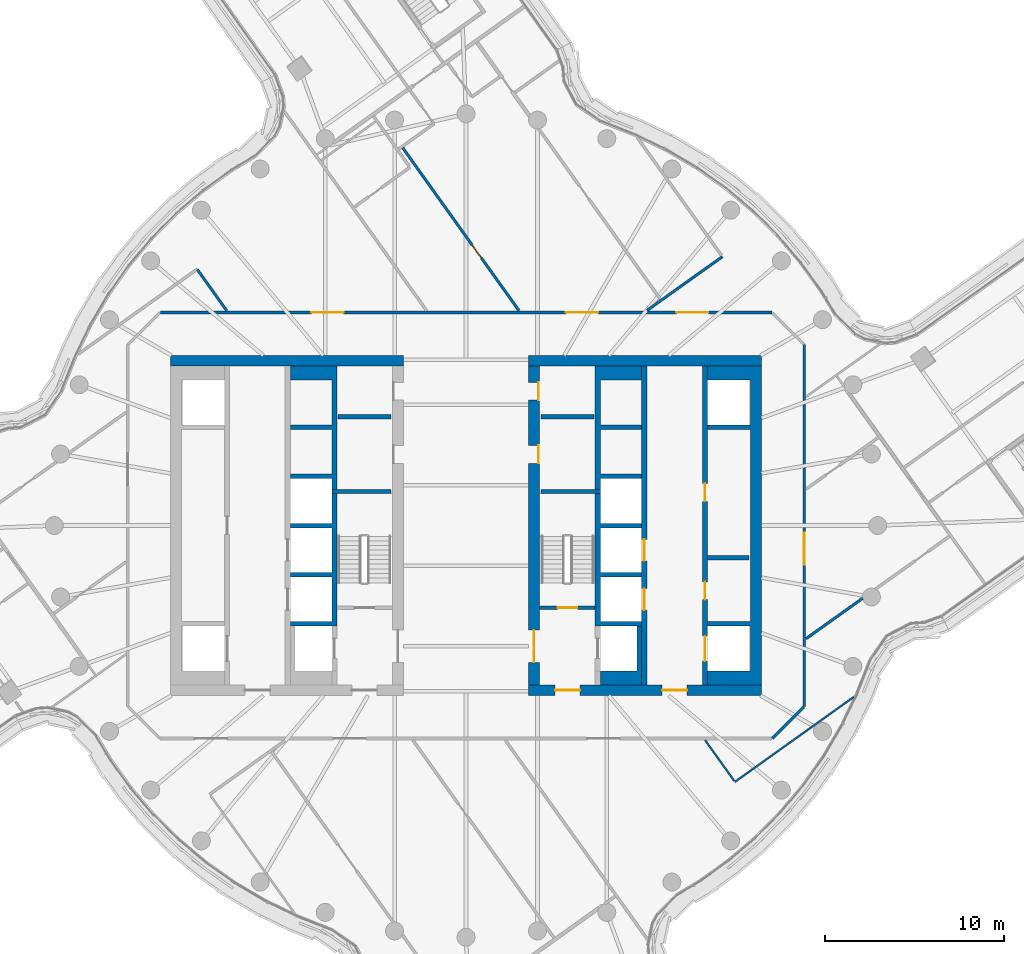
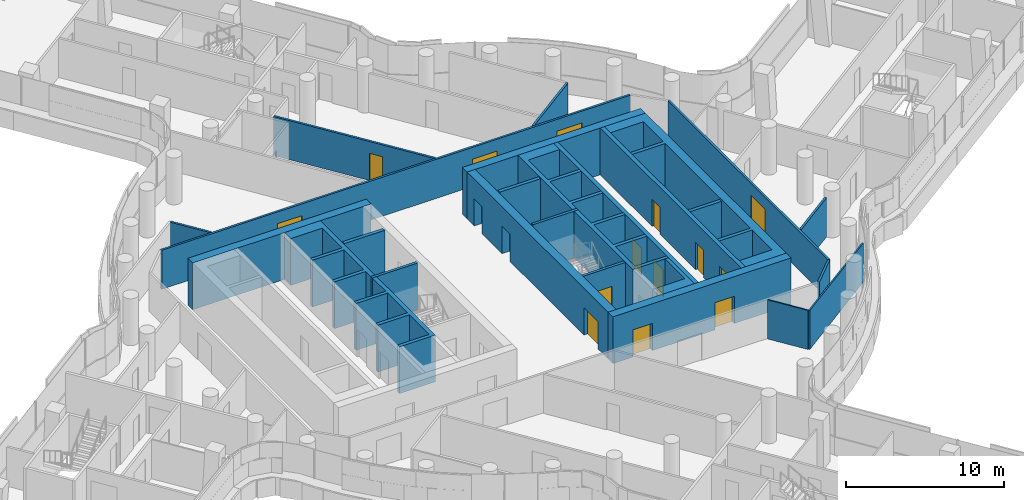
# One storey, part 21 of 31: 25 walls, 16 doors, 16 openings.
"""IFC4 building model written with IfcOpenShell, lengths in metres."""

from ifc_helpers import new_model, si_unit, direction, frame, frame_2d, origin, place, context, subcontext, project, spatial, polyline, rectangle, outline, extrude, material, layer, layer_set, type_object, element, fill, save


model = new_model("IFC4")

# Units and contexts
model_context = context("Model", 3, precision=1e-05, world=origin(), true_north=direction((0.0, 1.0)))
body_context = subcontext(model_context, "Body", "Model", "MODEL_VIEW")
ifc_project = project(units=[si_unit("LENGTHUNIT", "METRE"), si_unit("AREAUNIT", "SQUARE_METRE"), si_unit("VOLUMEUNIT", "CUBIC_METRE"), si_unit("PLANEANGLEUNIT", "RADIAN"), si_unit("MASSUNIT", "GRAM", prefix="KILO")], contexts=[model_context])

# Site, building, storey
site_placement = place(None, origin())
site = spatial("IfcSite", under=ifc_project, at=site_placement, CompositionType="ELEMENT")
building_placement = place(site_placement, origin())
building = spatial("IfcBuilding", under=site, at=building_placement, Name="Tamarind Cross Interchange Tower", CompositionType="ELEMENT")
storey_placement = place(building_placement, frame((0.0, 0.0, 163.0)))
storey = spatial("IfcBuildingStorey", under=building, at=storey_placement, Name="L40", CompositionType="ELEMENT", Elevation=163.0)

# Wall
ifc_material_1 = material(Name="Concrete C60", Category="concrete")
ifc_layer_1 = layer(ifc_material_1, 0.60009765625)
ifc_layer_set_1 = layer_set([ifc_layer_1], Name="Concrete C60")
wall_type_1 = type_object("IfcWallType", Name="Core wall 600 mm Concrete C60", PredefinedType="SHEAR", material=ifc_layer_set_1)
wall_1_placement = place(storey_placement, frame((-16.5, 9.199951171875, 0.0), z_axis=(0.0, 0.0, 1.0), x_axis=(1.0, 0.0, 0.0)))
element("IfcWall", 1, at=wall_1_placement, inside=storey, type_object=wall_type_1, Name="Core wall CWL-L40-W-NE", PredefinedType="SHEAR", context=body_context, shape_type="SweptSolid", body=[
    extrude(rectangle(XDim=13.0, YDim=0.60009765625, at=frame_2d((6.5, 0.0))), origin(), (0.0, 0.0, 1.0), 3.610107421875),
])

# Wall, openings, doors
wall_2_placement = place(storey_placement, frame((16.5, -9.199951171875, 0.0), z_axis=(0.0, 0.0, 1.0), x_axis=(-1.0, 0.0, 0.0)))
wall_2 = element("IfcWall", 2, at=wall_2_placement, inside=storey, type_object=wall_type_1, Name="Core wall CWL-L40-E-S", PredefinedType="SHEAR", context=body_context, shape_type="SweptSolid", body=[
    extrude(rectangle(XDim=13.0, YDim=0.60009765625, at=frame_2d((6.5, 0.0))), origin(), (0.0, 0.0, 1.0), 3.610107421875),
])
opening_1_placement = place(wall_2_placement, frame((4.14990234375, 0.0, 0.0)))
opening_1 = element("IfcOpeningElement", 3, at=opening_1_placement, cuts=wall_2, Name="Opening DCE1", PredefinedType="OPENING", context=body_context, shape_type="SweptSolid", body=[
    extrude(rectangle(XDim=1.39990234375, YDim=2.10009765625, at=frame_2d((0.699951171875, 1.050048828125))), frame((0.0, 0.31005859375, 0.0), z_axis=(0.0, -1.0, 0.0), x_axis=(1.0, 0.0, 0.0)), (0.0, 0.0, 1.0), 0.6201171875),
])
opening_2_placement = place(wall_2_placement, frame((10.125, 0.0, 0.0)))
opening_2 = element("IfcOpeningElement", 4, at=opening_2_placement, cuts=wall_2, Name="Opening DCEF", PredefinedType="OPENING", context=body_context, shape_type="SweptSolid", body=[
    extrude(rectangle(XDim=1.39990234375, YDim=2.10009765625, at=frame_2d((0.699951171875, 1.050048828125))), frame((0.0, 0.31005859375, 0.0), z_axis=(0.0, -1.0, 0.0), x_axis=(1.0, 0.0, 0.0)), (0.0, 0.0, 1.0), 0.6201171875),
])
ifc_material_2 = material(Name="Steel, fire-resisting", Category="steel")
door_type_1 = type_object("IfcDoorType", Name="Core fire door 1400 x 2100 FD90", OperationType="SINGLE_SWING_LEFT", PredefinedType="DOOR", material=ifc_material_2)
door_1_placement = place(opening_1_placement, origin())
door_1 = element("IfcDoor", 5, at=door_1_placement, inside=storey, type_object=door_type_1, Name="L40 lift lobby door", OperationType="SINGLE_SWING_LEFT", OverallHeight=2.10009765625, OverallWidth=1.39990234375, PredefinedType="DOOR", context=body_context, shape_type="SweptSolid", body=[
    extrude(rectangle(XDim=1.39990234375, YDim=2.10009765625, at=frame_2d((0.699951171875, 1.050048828125))), frame((0.0, 0.02490234375, 0.0), z_axis=(0.0, -1.0, 0.0), x_axis=(1.0, 0.0, 0.0)), (0.0, 0.0, 1.0), 0.050048828125),
])
fill(opening_1, door_1)
door_2_placement = place(opening_2_placement, origin())
door_2 = element("IfcDoor", 6, at=door_2_placement, inside=storey, type_object=door_type_1, Name="L40 firefighting lobby end door", OperationType="SINGLE_SWING_LEFT", OverallHeight=2.10009765625, OverallWidth=1.39990234375, PredefinedType="DOOR", context=body_context, shape_type="SweptSolid", body=[
    extrude(rectangle(XDim=1.39990234375, YDim=2.10009765625, at=frame_2d((0.699951171875, 1.050048828125))), frame((0.0, 0.02490234375, 0.0), z_axis=(0.0, -1.0, 0.0), x_axis=(1.0, 0.0, 0.0)), (0.0, 0.0, 1.0), 0.050048828125),
])
fill(opening_2, door_2)

# Walls
wall_3_placement = place(storey_placement, origin())
element("IfcWall", 7, at=wall_3_placement, inside=storey, type_object=wall_type_1, Name="Core wall CWL-L40-E-A", PredefinedType="SHEAR", context=body_context, shape_type="SweptSolid", body=[
    extrude(outline(polyline([(13.5, -8.125), (13.5, -8.89990234375), (15.89990234375, -8.89990234375), (16.5, -8.89990234375), (16.5, 8.89990234375), (15.89990234375, 8.89990234375), (13.5, 8.89990234375), (13.5, 8.125), (15.89990234375, 8.125), (15.89990234375, 5.625), (13.5, 5.625), (13.5, 5.375), (15.89990234375, 5.375), (15.89990234375, -5.375), (13.5, -5.375), (13.5, -5.625), (15.89990234375, -5.625), (15.89990234375, -8.125), (13.5, -8.125)])), origin(), (0.0, 0.0, 1.0), 3.610107421875),
])
wall_4_placement = place(storey_placement, frame((16.5, 9.199951171875, 0.0), z_axis=(0.0, 0.0, 1.0), x_axis=(-1.0, 0.0, 0.0)))
element("IfcWall", 8, at=wall_4_placement, inside=storey, type_object=wall_type_1, Name="Core wall CWL-L40-E-NE", PredefinedType="SHEAR", context=body_context, shape_type="SweptSolid", body=[
    extrude(rectangle(XDim=13.0, YDim=0.60009765625, at=frame_2d((6.5, 0.0))), origin(), (0.0, 0.0, 1.0), 3.610107421875),
])

# Wall, openings, doors
wall_5_placement = place(storey_placement, frame((3.800048828125, -8.89990234375, 0.0), z_axis=(0.0, 0.0, 1.0), x_axis=(0.0, 1.0, 0.0)))
wall_5 = element("IfcWall", 9, at=wall_5_placement, inside=storey, type_object=wall_type_1, Name="Core wall CWL-L40-E-IN", PredefinedType="SHEAR", context=body_context, shape_type="SweptSolid", body=[
    extrude(rectangle(XDim=17.7998046875, YDim=0.60009765625, at=frame_2d((8.89990234375, 0.0))), origin(), (0.0, 0.0, 1.0), 3.610107421875),
])
opening_3_placement = place(wall_5_placement, frame((1.25, 0.0, 0.0)))
opening_3 = element("IfcOpeningElement", 10, at=opening_3_placement, cuts=wall_5, Name="Opening DCE4", PredefinedType="OPENING", context=body_context, shape_type="SweptSolid", body=[
    extrude(rectangle(XDim=1.800048828125, YDim=2.10009765625, at=frame_2d((0.89990234375, 1.050048828125))), frame((0.0, 0.31005859375, 0.0), z_axis=(0.0, -1.0, 0.0), x_axis=(1.0, 0.0, 0.0)), (0.0, 0.0, 1.0), 0.6201171875),
])
opening_4_placement = place(wall_5_placement, frame((12.37744140625, 0.0, 0.0)))
opening_4 = element("IfcOpeningElement", 11, at=opening_4_placement, cuts=wall_5, Name="Opening DCE5", PredefinedType="OPENING", context=body_context, shape_type="SweptSolid", body=[
    extrude(rectangle(XDim=1.0, YDim=2.10009765625, at=frame_2d((0.5, 1.050048828125))), frame((0.0, 0.31005859375, 0.0), z_axis=(0.0, -1.0, 0.0), x_axis=(1.0, 0.0, 0.0)), (0.0, 0.0, 1.0), 0.6201171875),
])
opening_5_placement = place(wall_5_placement, frame((15.902587890625, 0.0, 0.0)))
opening_5 = element("IfcOpeningElement", 12, at=opening_5_placement, cuts=wall_5, Name="Opening DCE5", PredefinedType="OPENING", context=body_context, shape_type="SweptSolid", body=[
    extrude(rectangle(XDim=1.0, YDim=2.10009765625, at=frame_2d((0.5, 1.050048828125))), frame((0.0, 0.31005859375, 0.0), z_axis=(0.0, -1.0, 0.0), x_axis=(1.0, 0.0, 0.0)), (0.0, 0.0, 1.0), 0.6201171875),
])
door_type_2 = type_object("IfcDoorType", Name="Core fire door 1000 x 2100 FD90", OperationType="SINGLE_SWING_LEFT", PredefinedType="DOOR", material=ifc_material_2)
door_3_placement = place(opening_4_placement, origin())
door_3 = element("IfcDoor", 13, at=door_3_placement, inside=storey, type_object=door_type_2, Name="L40 cleaner's store door", OperationType="SINGLE_SWING_LEFT", OverallHeight=2.10009765625, OverallWidth=1.0, PredefinedType="DOOR", context=body_context, shape_type="SweptSolid", body=[
    extrude(rectangle(XDim=1.0, YDim=2.10009765625, at=frame_2d((0.5, 1.050048828125))), frame((0.0, -0.22509765625, 0.0), z_axis=(0.0, -1.0, 0.0), x_axis=(1.0, 0.0, 0.0)), (0.0, 0.0, 1.0), 0.050048828125),
])
fill(opening_4, door_3)
door_4_placement = place(opening_5_placement, origin())
door_4 = element("IfcDoor", 14, at=door_4_placement, inside=storey, type_object=door_type_2, Name="L40 comms room door", OperationType="SINGLE_SWING_LEFT", OverallHeight=2.10009765625, OverallWidth=1.0, PredefinedType="DOOR", context=body_context, shape_type="SweptSolid", body=[
    extrude(rectangle(XDim=1.0, YDim=2.10009765625, at=frame_2d((0.5, 1.050048828125))), frame((0.0, -0.22509765625, 0.0), z_axis=(0.0, -1.0, 0.0), x_axis=(1.0, 0.0, 0.0)), (0.0, 0.0, 1.0), 0.050048828125),
])
fill(opening_5, door_4)
door_type_3 = type_object("IfcDoorType", Name="Core fire door 1800 x 2100 FD90", OperationType="SINGLE_SWING_LEFT", PredefinedType="DOOR", material=ifc_material_2)
door_5_placement = place(opening_3_placement, origin())
door_5 = element("IfcDoor", 15, at=door_5_placement, inside=storey, type_object=door_type_3, Name="L40 firefighting lobby door", OperationType="SINGLE_SWING_LEFT", OverallHeight=2.10009765625, OverallWidth=1.800048828125, PredefinedType="DOOR", context=body_context, shape_type="SweptSolid", body=[
    extrude(rectangle(XDim=1.800048828125, YDim=2.10009765625, at=frame_2d((0.89990234375, 1.050048828125))), frame((0.0, 0.02490234375, 0.0), z_axis=(0.0, -1.0, 0.0), x_axis=(1.0, 0.0, 0.0)), (0.0, 0.0, 1.0), 0.050048828125),
])
fill(opening_3, door_5)

# Walls
ifc_layer_2 = layer(ifc_material_1, 0.199951171875)
ifc_layer_set_2 = layer_set([ifc_layer_2], Name="Concrete C60")
wall_type_2 = type_object("IfcWallType", Name="Core web wall 200 mm Concrete C60", PredefinedType="SHEAR", material=ifc_layer_set_2)
for number, where, z_axis, x_axis, name in (
    (16, (-7.5, 1.89990234375, 0.0), (0.0, 0.0, 1.0), (1.0, 0.0, 0.0), "Core wall CWL-L40-W-BD"),
    (17, (7.5, 1.89990234375, 0.0), (0.0, 0.0, 1.0), (-1.0, 0.0, 0.0), "Core wall CWL-L40-E-BD"),
):
    element("IfcWall", number, at=place(storey_placement, frame(where, z_axis=z_axis, x_axis=x_axis)), inside=storey, type_object=wall_type_2, Name=name, PredefinedType="SHEAR", context=body_context, shape_type="SweptSolid", body=[
        extrude(rectangle(XDim=3.300048828125, YDim=0.199951171875, at=frame_2d((1.64990234375, 0.0))), origin(), (0.0, 0.0, 1.0), 3.610107421875),
    ])
ifc_layer_3 = layer(ifc_material_1, 0.300048828125)
ifc_layer_set_3 = layer_set([ifc_layer_3], Name="Concrete C60")
wall_type_3 = type_object("IfcWallType", Name="Core web wall 300 mm Concrete C60", PredefinedType="SHEAR", material=ifc_layer_set_3)
wall_6_placement = place(storey_placement, origin())
element("IfcWall", 18, at=wall_6_placement, inside=storey, type_object=wall_type_3, Name="Core wall CWL-L40-W-BN", PredefinedType="SHEAR", context=body_context, shape_type="SweptSolid", body=[
    extrude(outline(polyline([(-9.800048828125, -5.375), (-9.800048828125, -5.625), (-7.5, -5.625), (-7.199951171875, -5.625), (-7.199951171875, 8.89990234375), (-7.5, 8.89990234375), (-9.800048828125, 8.89990234375), (-9.800048828125, 8.125), (-7.5, 8.125), (-7.5, 5.625), (-9.800048828125, 5.625), (-9.800048828125, 5.375), (-7.5, 5.375), (-7.5, 2.875), (-9.800048828125, 2.875), (-9.800048828125, 2.625), (-7.5, 2.625), (-7.5, 0.125), (-9.800048828125, 0.125), (-9.800048828125, -0.125), (-7.5, -0.125), (-7.5, -2.625), (-9.800048828125, -2.625), (-9.800048828125, -2.875), (-7.5, -2.875), (-7.5, -5.375), (-9.800048828125, -5.375)])), origin(), (0.0, 0.0, 1.0), 3.610107421875),
])
wall_7_placement = place(storey_placement, origin())
element("IfcWall", 19, at=wall_7_placement, inside=storey, type_object=wall_type_3, Name="Core wall CWL-L40-E-BN", PredefinedType="SHEAR", context=body_context, shape_type="SweptSolid", body=[
    extrude(outline(polyline([(9.800048828125, -5.375), (7.5, -5.375), (7.5, -2.875), (9.800048828125, -2.875), (9.800048828125, -2.625), (7.5, -2.625), (7.5, -0.125), (9.800048828125, -0.125), (9.800048828125, 0.125), (7.5, 0.125), (7.5, 2.625), (9.800048828125, 2.625), (9.800048828125, 2.875), (7.5, 2.875), (7.5, 5.375), (9.800048828125, 5.375), (9.800048828125, 5.625), (7.5, 5.625), (7.5, 8.125), (9.800048828125, 8.125), (9.800048828125, 8.89990234375), (7.5, 8.89990234375), (7.199951171875, 8.89990234375), (7.199951171875, -5.625), (7.5, -5.625), (9.800048828125, -5.625), (9.800048828125, -5.375)])), origin(), (0.0, 0.0, 1.0), 3.610107421875),
])
wall_8_placement = place(storey_placement, origin())
element("IfcWall", 20, at=wall_8_placement, inside=storey, type_object=wall_type_3, Name="Core wall CWL-L40-E-BS", PredefinedType="SHEAR", context=body_context, shape_type="SweptSolid", body=[
    extrude(outline(polyline([(7.5, -8.125), (7.5, -8.89990234375), (9.800048828125, -8.89990234375), (9.800048828125, -8.125), (9.800048828125, -5.625), (9.550048828125, -5.625), (9.550048828125, -8.125), (7.5, -8.125)])), origin(), (0.0, 0.0, 1.0), 3.610107421875),
])

# Wall, openings, doors
wall_9_placement = place(storey_placement, frame((13.35009765625, -8.89990234375, 0.0), z_axis=(0.0, 0.0, 1.0), x_axis=(0.0, 1.0, 0.0)))
wall_9 = element("IfcWall", 21, at=wall_9_placement, inside=storey, type_object=wall_type_3, Name="Core wall CWL-L40-E-LA", PredefinedType="SHEAR", context=body_context, shape_type="SweptSolid", body=[
    extrude(rectangle(XDim=17.7998046875, YDim=0.300048828125, at=frame_2d((8.89990234375, 0.0))), origin(), (0.0, 0.0, 1.0), 3.610107421875),
])
opening_6_placement = place(wall_9_placement, frame((1.324951171875, 0.0, 0.0)))
opening_6 = element("IfcOpeningElement", 22, at=opening_6_placement, cuts=wall_9, Name="Opening LD13L40", PredefinedType="OPENING", context=body_context, shape_type="SweptSolid", body=[
    extrude(rectangle(XDim=1.39990234375, YDim=2.10009765625, at=frame_2d((0.699951171875, 1.050048828125))), frame((0.0, 0.159912109375, 0.0), z_axis=(0.0, -1.0, 0.0), x_axis=(1.0, 0.0, 0.0)), (0.0, 0.0, 1.0), 0.320068359375),
])
opening_7_placement = place(wall_9_placement, frame((4.75390625, 0.0, 0.0)))
opening_7 = element("IfcOpeningElement", 23, at=opening_7_placement, cuts=wall_9, Name="Opening DCE9", PredefinedType="OPENING", context=body_context, shape_type="SweptSolid", body=[
    extrude(rectangle(XDim=1.0, YDim=2.10009765625, at=frame_2d((0.5, 1.050048828125))), frame((0.0, 0.159912109375, 0.0), z_axis=(0.0, -1.0, 0.0), x_axis=(1.0, 0.0, 0.0)), (0.0, 0.0, 1.0), 0.320068359375),
])
opening_8_placement = place(wall_9_placement, frame((10.25390625, 0.0, 0.0)))
opening_8 = element("IfcOpeningElement", 24, at=opening_8_placement, cuts=wall_9, Name="Opening DCE10", PredefinedType="OPENING", context=body_context, shape_type="SweptSolid", body=[
    extrude(rectangle(XDim=1.0, YDim=2.10009765625, at=frame_2d((0.5, 1.050048828125))), frame((0.0, 0.159912109375, 0.0), z_axis=(0.0, -1.0, 0.0), x_axis=(1.0, 0.0, 0.0)), (0.0, 0.0, 1.0), 0.320068359375),
])
door_6_placement = place(opening_7_placement, origin())
door_6 = element("IfcDoor", 25, at=door_6_placement, inside=storey, type_object=door_type_2, Name="L40 Comms room door", OperationType="SINGLE_SWING_LEFT", OverallHeight=2.10009765625, OverallWidth=1.0, PredefinedType="DOOR", context=body_context, shape_type="SweptSolid", body=[
    extrude(rectangle(XDim=1.0, YDim=2.10009765625, at=frame_2d((0.5, 1.050048828125))), frame((0.0, 0.02490234375, 0.0), z_axis=(0.0, -1.0, 0.0), x_axis=(1.0, 0.0, 0.0)), (0.0, 0.0, 1.0), 0.050048828125),
])
fill(opening_7, door_6)
door_7_placement = place(opening_8_placement, origin())
door_7 = element("IfcDoor", 26, at=door_7_placement, inside=storey, type_object=door_type_2, Name="L40 Cleaner's store door", OperationType="SINGLE_SWING_LEFT", OverallHeight=2.10009765625, OverallWidth=1.0, PredefinedType="DOOR", context=body_context, shape_type="SweptSolid", body=[
    extrude(rectangle(XDim=1.0, YDim=2.10009765625, at=frame_2d((0.5, 1.050048828125))), frame((0.0, 0.02490234375, 0.0), z_axis=(0.0, -1.0, 0.0), x_axis=(1.0, 0.0, 0.0)), (0.0, 0.0, 1.0), 0.050048828125),
])
fill(opening_8, door_7)
ifc_material_3 = material(Name="Stainless steel panel", Category="steel")
door_type_4 = type_object("IfcDoorType", Name="Lift landing door 1400 x 2100 E 120", OperationType="SLIDING_TO_LEFT", PredefinedType="DOOR", material=ifc_material_3)
door_8_placement = place(opening_6_placement, origin())
door_8 = element("IfcDoor", 27, at=door_8_placement, inside=storey, type_object=door_type_4, Name="L40 landing door LF13", OperationType="SLIDING_TO_LEFT", OverallHeight=2.10009765625, OverallWidth=1.39990234375, PredefinedType="DOOR", context=body_context, shape_type="SweptSolid", body=[
    extrude(rectangle(XDim=1.39990234375, YDim=2.10009765625, at=frame_2d((0.699951171875, 1.050048828125))), frame((0.0, 0.02490234375, 0.0), z_axis=(0.0, -1.0, 0.0), x_axis=(1.0, 0.0, 0.0)), (0.0, 0.0, 1.0), 0.050048828125),
])
fill(opening_6, door_8)

wall_10_placement = place(storey_placement, frame((9.949951171875, -8.89990234375, 0.0), z_axis=(0.0, 0.0, 1.0), x_axis=(0.0, 1.0, 0.0)))
wall_10 = element("IfcWall", 28, at=wall_10_placement, inside=storey, type_object=wall_type_3, Name="Core wall CWL-L40-E-LB", PredefinedType="SHEAR", context=body_context, shape_type="SweptSolid", body=[
    extrude(rectangle(XDim=17.7998046875, YDim=0.300048828125, at=frame_2d((8.89990234375, 0.0))), origin(), (0.0, 0.0, 1.0), 3.610107421875),
])
opening_9_placement = place(wall_10_placement, frame((4.175048828125, 0.0, 0.0)))
opening_9 = element("IfcOpeningElement", 29, at=opening_9_placement, cuts=wall_10, Name="Opening LD20L40", PredefinedType="OPENING", context=body_context, shape_type="SweptSolid", body=[
    extrude(rectangle(XDim=1.199951171875, YDim=2.10009765625, at=frame_2d((0.60009765625, 1.050048828125))), frame((0.0, 0.159912109375, 0.0), z_axis=(0.0, -1.0, 0.0), x_axis=(1.0, 0.0, 0.0)), (0.0, 0.0, 1.0), 0.320068359375),
])
opening_10_placement = place(wall_10_placement, frame((6.925048828125, 0.0, 0.0)))
opening_10 = element("IfcOpeningElement", 30, at=opening_10_placement, cuts=wall_10, Name="Opening LD21L40", PredefinedType="OPENING", context=body_context, shape_type="SweptSolid", body=[
    extrude(rectangle(XDim=1.199951171875, YDim=2.10009765625, at=frame_2d((0.60009765625, 1.050048828125))), frame((0.0, 0.159912109375, 0.0), z_axis=(0.0, -1.0, 0.0), x_axis=(1.0, 0.0, 0.0)), (0.0, 0.0, 1.0), 0.320068359375),
])
door_type_5 = type_object("IfcDoorType", Name="Lift landing door 1200 x 2100 E 120", OperationType="SLIDING_TO_LEFT", PredefinedType="DOOR", material=ifc_material_3)
door_9_placement = place(opening_9_placement, origin())
door_9 = element("IfcDoor", 31, at=door_9_placement, inside=storey, type_object=door_type_5, Name="L40 landing door LF20", OperationType="SLIDING_TO_LEFT", OverallHeight=2.10009765625, OverallWidth=1.199951171875, PredefinedType="DOOR", context=body_context, shape_type="SweptSolid", body=[
    extrude(rectangle(XDim=1.199951171875, YDim=2.10009765625, at=frame_2d((0.60009765625, 1.050048828125))), frame((0.0, 0.02490234375, 0.0), z_axis=(0.0, -1.0, 0.0), x_axis=(1.0, 0.0, 0.0)), (0.0, 0.0, 1.0), 0.050048828125),
])
fill(opening_9, door_9)
door_10_placement = place(opening_10_placement, origin())
door_10 = element("IfcDoor", 32, at=door_10_placement, inside=storey, type_object=door_type_5, Name="L40 landing door LF21", OperationType="SLIDING_TO_LEFT", OverallHeight=2.10009765625, OverallWidth=1.199951171875, PredefinedType="DOOR", context=body_context, shape_type="SweptSolid", body=[
    extrude(rectangle(XDim=1.199951171875, YDim=2.10009765625, at=frame_2d((0.60009765625, 1.050048828125))), frame((0.0, 0.02490234375, 0.0), z_axis=(0.0, -1.0, 0.0), x_axis=(1.0, 0.0, 0.0)), (0.0, 0.0, 1.0), 0.050048828125),
])
fill(opening_10, door_10)

# Walls
ifc_material_4 = material(Name="Gypsum board partition on steel studs", Category="steel")
ifc_layer_4 = layer(ifc_material_4, 0.10009765625)
ifc_layer_set_4 = layer_set([ifc_layer_4], Name="Gypsum board partition on steel studs")
wall_type_4 = type_object("IfcWallType", Name="Partition 100 mm EI 90", PredefinedType="PARTITIONING", material=ifc_layer_set_4)
wall_11_placement = place(storey_placement, frame((13.35498046875, -11.985595703125, 0.0), z_axis=(0.0, 0.0, 1.0), x_axis=(0.581139863007, -0.813803698458, 0.0)))
element("IfcWall", 33, at=wall_11_placement, inside=storey, type_object=wall_type_4, Name="Partition L40-026", PredefinedType="PARTITIONING", context=body_context, shape_type="SweptSolid", body=[
    extrude(rectangle(XDim=2.818603515625, YDim=0.10009765625, at=frame_2d((1.4091796875, 0.0))), origin(), (0.0, 0.0, 1.0), 3.010009765625),
])
wall_12_placement = place(storey_placement, frame((15.02197265625, -14.320068359375, 0.0), z_axis=(0.0, 0.0, 1.0), x_axis=(0.813848610714, 0.581076964643, 0.0)))
element("IfcWall", 34, at=wall_12_placement, inside=storey, type_object=wall_type_4, Name="Partition L40-067", PredefinedType="PARTITIONING", context=body_context, shape_type="SweptSolid", body=[
    extrude(rectangle(XDim=8.165283203125, YDim=0.10009765625, at=frame_2d((4.08251953125, 0.0))), origin(), (0.0, 0.0, 1.0), 3.010009765625),
])
ifc_layer_5 = layer(ifc_material_4, 0.14990234375)
ifc_layer_set_5 = layer_set([ifc_layer_5], Name="Gypsum board partition on steel studs")
wall_type_5 = type_object("IfcWallType", Name="Partition 150 mm EI 120", PredefinedType="PARTITIONING", material=ifc_layer_set_5)
wall_13_placement = place(storey_placement, frame((-15.010498046875, 14.3037109375, 0.0), z_axis=(0.0, 0.0, 1.0), x_axis=(0.581123885817, -0.813815107585, 0.0)))
element("IfcWall", 35, at=wall_13_placement, inside=storey, type_object=wall_type_5, Name="Partition L40-007", PredefinedType="PARTITIONING", context=body_context, shape_type="SweptSolid", body=[
    extrude(rectangle(XDim=2.82861328125, YDim=0.14990234375, at=frame_2d((1.414306640625, 0.0))), origin(), (0.0, 0.0, 1.0), 3.010009765625),
])

# Wall, opening, door
wall_14_placement = place(storey_placement, frame((-3.534423828125, 21.098876953125, 0.0), z_axis=(0.0, 0.0, 1.0), x_axis=(0.58105429552, -0.813864795687, 0.0)))
wall_14 = element("IfcWall", 36, at=wall_14_placement, inside=storey, type_object=wall_type_5, Name="Partition L40-016", PredefinedType="PARTITIONING", context=body_context, shape_type="SweptSolid", body=[
    extrude(rectangle(XDim=11.177734375, YDim=0.14990234375, at=frame_2d((5.5888671875, 0.0))), origin(), (0.0, 0.0, 1.0), 3.010009765625),
])
opening_11_placement = place(wall_14_placement, frame((6.669921875, 0.0, 0.0)))
opening_11 = element("IfcOpeningElement", 37, at=opening_11_placement, cuts=wall_14, Name="Opening D07", PredefinedType="OPENING", context=body_context, shape_type="SweptSolid", body=[
    extrude(rectangle(XDim=0.89990234375, YDim=2.10009765625, at=frame_2d((0.449951171875, 1.050048828125))), frame((0.0, 0.0849609375, 0.0), z_axis=(0.0, -1.0, 0.0), x_axis=(1.0, 0.0, 0.0)), (0.0, 0.0, 1.0), 0.169921875),
])
ifc_material_5 = material(Name="Fire-resisting door set")
door_type_6 = type_object("IfcDoorType", Name="Interior door 900 x 2100 FD60S", OperationType="SINGLE_SWING_LEFT", PredefinedType="DOOR", material=ifc_material_5)
door_11_placement = place(opening_11_placement, frame((0.89990234375, 0.0, 0.0), z_axis=(0.0, 0.0, 1.0), x_axis=(-1.0, 0.0, 0.0)))
door_11 = element("IfcDoor", 38, at=door_11_placement, inside=storey, type_object=door_type_6, Name="Door D07", OperationType="SINGLE_SWING_RIGHT", OverallHeight=2.10009765625, OverallWidth=0.89990234375, PredefinedType="DOOR", context=body_context, shape_type="SweptSolid", body=[
    extrude(rectangle(XDim=0.89990234375, YDim=2.10009765625, at=frame_2d((0.449951171875, 1.050048828125))), frame((0.0, 0.02490234375, 0.0), z_axis=(0.0, -1.0, 0.0), x_axis=(1.0, 0.0, 0.0)), (0.0, 0.0, 1.0), 0.050048828125),
])
fill(opening_11, door_11)

# Wall, openings, doors
wall_15_placement = place(storey_placement, frame((-17.06494140625, 11.89990234375, 0.0), z_axis=(0.0, 0.0, 1.0), x_axis=(1.0, 0.0, 0.0)))
wall_15 = element("IfcWall", 39, at=wall_15_placement, inside=storey, type_object=wall_type_5, Name="Partition L40-037", PredefinedType="PARTITIONING", context=body_context, shape_type="SweptSolid", body=[
    extrude(rectangle(XDim=34.1650390625, YDim=0.14990234375, at=frame_2d((17.08251953125, 0.0))), origin(), (0.0, 0.0, 1.0), 3.010009765625),
])
opening_12_placement = place(wall_15_placement, frame((22.64794921875, 0.0, 0.0)))
opening_12 = element("IfcOpeningElement", 40, at=opening_12_placement, cuts=wall_15, Name="Opening D23", PredefinedType="OPENING", context=body_context, shape_type="SweptSolid", body=[
    extrude(rectangle(XDim=1.800048828125, YDim=2.10009765625, at=frame_2d((0.89990234375, 1.050048828125))), frame((0.0, 0.0849609375, 0.0), z_axis=(0.0, -1.0, 0.0), x_axis=(1.0, 0.0, 0.0)), (0.0, 0.0, 1.0), 0.169921875),
])
opening_13_placement = place(wall_15_placement, frame((28.81201171875, 0.0, 0.0)))
opening_13 = element("IfcOpeningElement", 41, at=opening_13_placement, cuts=wall_15, Name="Opening D24", PredefinedType="OPENING", context=body_context, shape_type="SweptSolid", body=[
    extrude(rectangle(XDim=1.800048828125, YDim=2.10009765625, at=frame_2d((0.89990234375, 1.050048828125))), frame((0.0, 0.0849609375, 0.0), z_axis=(0.0, -1.0, 0.0), x_axis=(1.0, 0.0, 0.0)), (0.0, 0.0, 1.0), 0.169921875),
])
opening_14_placement = place(wall_15_placement, frame((8.4208984375, 0.0, 0.0)))
opening_14 = element("IfcOpeningElement", 42, at=opening_14_placement, cuts=wall_15, Name="Opening D25", PredefinedType="OPENING", context=body_context, shape_type="SweptSolid", body=[
    extrude(rectangle(XDim=1.800048828125, YDim=2.10009765625, at=frame_2d((0.89990234375, 1.050048828125))), frame((0.0, 0.0849609375, 0.0), z_axis=(0.0, -1.0, 0.0), x_axis=(1.0, 0.0, 0.0)), (0.0, 0.0, 1.0), 0.169921875),
])
door_type_7 = type_object("IfcDoorType", Name="Interior door 1800 x 2100 FD60S", OperationType="DOUBLE_DOOR_SINGLE_SWING", PredefinedType="DOOR", material=ifc_material_5)
door_12_placement = place(opening_12_placement, frame((1.800048828125, 0.0, 0.0), z_axis=(0.0, 0.0, 1.0), x_axis=(-1.0, 0.0, 0.0)))
door_12 = element("IfcDoor", 43, at=door_12_placement, inside=storey, type_object=door_type_7, Name="Door D23", OperationType="DOUBLE_DOOR_SINGLE_SWING", OverallHeight=2.10009765625, OverallWidth=1.800048828125, PredefinedType="DOOR", context=body_context, shape_type="SweptSolid", body=[
    extrude(rectangle(XDim=1.800048828125, YDim=2.10009765625, at=frame_2d((0.89990234375, 1.050048828125))), frame((0.0, 0.02490234375, 0.0), z_axis=(0.0, -1.0, 0.0), x_axis=(1.0, 0.0, 0.0)), (0.0, 0.0, 1.0), 0.050048828125),
])
fill(opening_12, door_12)
door_13_placement = place(opening_13_placement, origin())
door_13 = element("IfcDoor", 44, at=door_13_placement, inside=storey, type_object=door_type_7, Name="Door D24", OperationType="DOUBLE_DOOR_SINGLE_SWING", OverallHeight=2.10009765625, OverallWidth=1.800048828125, PredefinedType="DOOR", context=body_context, shape_type="SweptSolid", body=[
    extrude(rectangle(XDim=1.800048828125, YDim=2.10009765625, at=frame_2d((0.89990234375, 1.050048828125))), frame((0.0, 0.02490234375, 0.0), z_axis=(0.0, -1.0, 0.0), x_axis=(1.0, 0.0, 0.0)), (0.0, 0.0, 1.0), 0.050048828125),
])
fill(opening_13, door_13)
door_14_placement = place(opening_14_placement, origin())
door_14 = element("IfcDoor", 45, at=door_14_placement, inside=storey, type_object=door_type_7, Name="Door D25", OperationType="DOUBLE_DOOR_SINGLE_SWING", OverallHeight=2.10009765625, OverallWidth=1.800048828125, PredefinedType="DOOR", context=body_context, shape_type="SweptSolid", body=[
    extrude(rectangle(XDim=1.800048828125, YDim=2.10009765625, at=frame_2d((0.89990234375, 1.050048828125))), frame((0.0, 0.02490234375, 0.0), z_axis=(0.0, -1.0, 0.0), x_axis=(1.0, 0.0, 0.0)), (0.0, 0.0, 1.0), 0.050048828125),
])
fill(opening_14, door_14)

# Walls
wall_16_placement = place(storey_placement, frame((10.10986328125, 12.01611328125, 0.0), z_axis=(0.0, 0.0, 1.0), x_axis=(0.81419877711, 0.580586213541, 0.0)))
element("IfcWall", 46, at=wall_16_placement, inside=storey, type_object=wall_type_5, Name="Partition L40-041", PredefinedType="PARTITIONING", context=body_context, shape_type="SweptSolid", body=[
    extrude(rectangle(XDim=5.173095703125, YDim=0.14990234375, at=frame_2d((2.58642578125, 0.0))), origin(), (0.0, 0.0, 1.0), 3.010009765625),
])
wall_17_placement = place(storey_placement, frame((19.001708984375, -6.318359375, 0.0), z_axis=(0.0, 0.0, 1.0), x_axis=(0.813818497272, 0.581119138816, 0.0)))
element("IfcWall", 47, at=wall_17_placement, inside=storey, type_object=wall_type_5, Name="Partition L40-068", PredefinedType="PARTITIONING", context=body_context, shape_type="SweptSolid", body=[
    extrude(rectangle(XDim=3.8798828125, YDim=0.14990234375, at=frame_2d((1.93994140625, 0.0))), origin(), (0.0, 0.0, 1.0), 3.010009765625),
])
wall_18_placement = place(storey_placement, frame((17.10009765625, -11.89990234375, 0.0), z_axis=(0.0, 0.0, 1.0), x_axis=(0.707106781187, 0.707106781187, 0.0)))
element("IfcWall", 48, at=wall_18_placement, inside=storey, type_object=wall_type_5, Name="Partition L40-076", PredefinedType="PARTITIONING", context=body_context, shape_type="SweptSolid", body=[
    extrude(rectangle(XDim=2.50537109375, YDim=0.14990234375, at=frame_2d((1.252685546875, 0.0))), origin(), (0.0, 0.0, 1.0), 3.010009765625),
])

# Wall, opening, door
wall_19_placement = place(storey_placement, frame((18.89990234375, -10.10009765625, 0.0), z_axis=(0.0, 0.0, 1.0), x_axis=(0.0, 1.0, 0.0)))
wall_19 = element("IfcWall", 49, at=wall_19_placement, inside=storey, type_object=wall_type_5, Name="Partition L40-078", PredefinedType="PARTITIONING", context=body_context, shape_type="SweptSolid", body=[
    extrude(rectangle(XDim=20.2001953125, YDim=0.14990234375, at=frame_2d((10.10009765625, 0.0))), origin(), (0.0, 0.0, 1.0), 3.010009765625),
])
opening_15_placement = place(wall_19_placement, frame((7.908935546875, 0.0, 0.0)))
opening_15 = element("IfcOpeningElement", 50, at=opening_15_placement, cuts=wall_19, Name="Opening D43", PredefinedType="OPENING", context=body_context, shape_type="SweptSolid", body=[
    extrude(rectangle(XDim=1.800048828125, YDim=2.10009765625, at=frame_2d((0.89990234375, 1.050048828125))), frame((0.0, 0.0849609375, 0.0), z_axis=(0.0, -1.0, 0.0), x_axis=(1.0, 0.0, 0.0)), (0.0, 0.0, 1.0), 0.169921875),
])
door_15_placement = place(opening_15_placement, origin())
door_15 = element("IfcDoor", 51, at=door_15_placement, inside=storey, type_object=door_type_7, Name="Door D43", OperationType="DOUBLE_DOOR_SINGLE_SWING", OverallHeight=2.10009765625, OverallWidth=1.800048828125, PredefinedType="DOOR", context=body_context, shape_type="SweptSolid", body=[
    extrude(rectangle(XDim=1.800048828125, YDim=2.10009765625, at=frame_2d((0.89990234375, 1.050048828125))), frame((0.0, 0.02490234375, 0.0), z_axis=(0.0, -1.0, 0.0), x_axis=(1.0, 0.0, 0.0)), (0.0, 0.0, 1.0), 0.050048828125),
])
fill(opening_15, door_15)

# Walls
ifc_material_6 = material(Name="Concrete C40", Category="concrete")
ifc_layer_6 = layer(ifc_material_6, 0.25)
ifc_layer_set_6 = layer_set([ifc_layer_6], Name="Concrete C40")
wall_type_6 = type_object("IfcWallType", Name="Shaft and lobby wall 250 mm Concrete C40", PredefinedType="PARTITIONING", material=ifc_layer_set_6)
for number, where, z_axis, x_axis, name in (
    (52, (-7.14990234375, 6.080078125, 0.0), (0.0, 0.0, 1.0), (1.0, 0.0, 0.0), "Shaft wall CWL-L40-W-SVP"),
    (53, (7.14990234375, 6.080078125, 0.0), (0.0, 0.0, 1.0), (-1.0, 0.0, 0.0), "Shaft wall CWL-L40-E-SVP"),
):
    element("IfcWall", number, at=place(storey_placement, frame(where, z_axis=z_axis, x_axis=x_axis)), inside=storey, type_object=wall_type_6, Name=name, PredefinedType="PARTITIONING", context=body_context, shape_type="SweptSolid", body=[
        extrude(rectangle(XDim=2.949951171875, YDim=0.25, at=frame_2d((1.47509765625, 0.0))), origin(), (0.0, 0.0, 1.0), 3.610107421875),
    ])
wall_20_placement = place(storey_placement, frame((15.800048828125, -1.7919921875, 0.0), z_axis=(0.0, 0.0, 1.0), x_axis=(-1.0, 0.0, 0.0)))
element("IfcWall", 54, at=wall_20_placement, inside=storey, type_object=wall_type_6, Name="Shaft wall CWL-L40-E-FPA1", PredefinedType="PARTITIONING", context=body_context, shape_type="SweptSolid", body=[
    extrude(rectangle(XDim=2.300048828125, YDim=0.25, at=frame_2d((1.14990234375, 0.0))), origin(), (0.0, 0.0, 1.0), 3.610107421875),
])

# Wall, opening, door
ifc_layer_7 = layer(ifc_material_6, 0.199951171875)
ifc_layer_set_7 = layer_set([ifc_layer_7], Name="Concrete C40")
wall_type_7 = type_object("IfcWallType", Name="Stair shaft wall 200 mm Concrete C40", PredefinedType="SHEAR", material=ifc_layer_set_7)
wall_21_placement = place(storey_placement, frame((7.199951171875, -4.60009765625, 0.0), z_axis=(0.0, 0.0, 1.0), x_axis=(-1.0, 0.0, 0.0)))
wall_21 = element("IfcWall", 55, at=wall_21_placement, inside=storey, type_object=wall_type_7, Name="Core wall CWL-L40-E-SD", PredefinedType="SHEAR", context=body_context, shape_type="SweptSolid", body=[
    extrude(rectangle(XDim=3.099853515625, YDim=0.199951171875, at=frame_2d((1.5498046875, 0.0))), origin(), (0.0, 0.0, 1.0), 3.610107421875),
])
opening_16_placement = place(wall_21_placement, frame((0.97509765625, 0.0, 0.0)))
opening_16 = element("IfcOpeningElement", 56, at=opening_16_placement, cuts=wall_21, Name="Opening DCE6", PredefinedType="OPENING", context=body_context, shape_type="SweptSolid", body=[
    extrude(rectangle(XDim=1.10009765625, YDim=2.10009765625, at=frame_2d((0.550048828125, 1.050048828125))), frame((0.0, 0.10986328125, 0.0), z_axis=(0.0, -1.0, 0.0), x_axis=(1.0, 0.0, 0.0)), (0.0, 0.0, 1.0), 0.219970703125),
])
door_type_8 = type_object("IfcDoorType", Name="Core fire door 1100 x 2100 FD90", OperationType="SINGLE_SWING_LEFT", PredefinedType="DOOR", material=ifc_material_2)
door_16_placement = place(opening_16_placement, origin())
door_16 = element("IfcDoor", 57, at=door_16_placement, inside=storey, type_object=door_type_8, Name="L40 stair door", OperationType="SINGLE_SWING_LEFT", OverallHeight=2.10009765625, OverallWidth=1.10009765625, PredefinedType="DOOR", context=body_context, shape_type="SweptSolid", body=[
    extrude(rectangle(XDim=1.10009765625, YDim=2.10009765625, at=frame_2d((0.550048828125, 1.050048828125))), frame((0.0, 0.02490234375, 0.0), z_axis=(0.0, -1.0, 0.0), x_axis=(1.0, 0.0, 0.0)), (0.0, 0.0, 1.0), 0.050048828125),
])
fill(opening_16, door_16)

save(model, "model.ifc")
